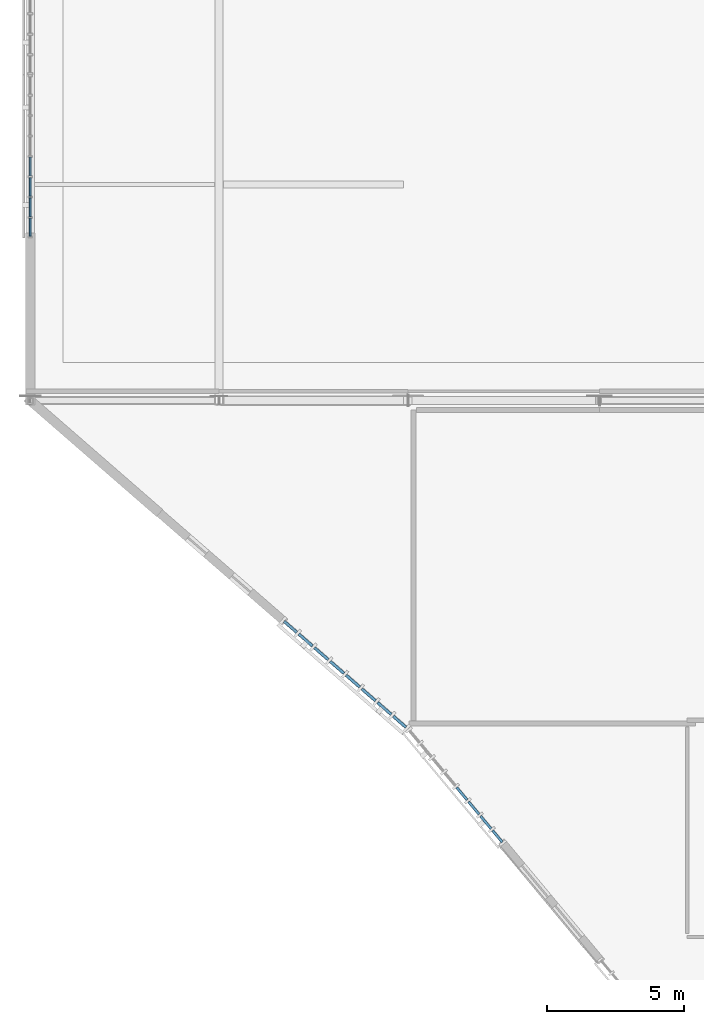
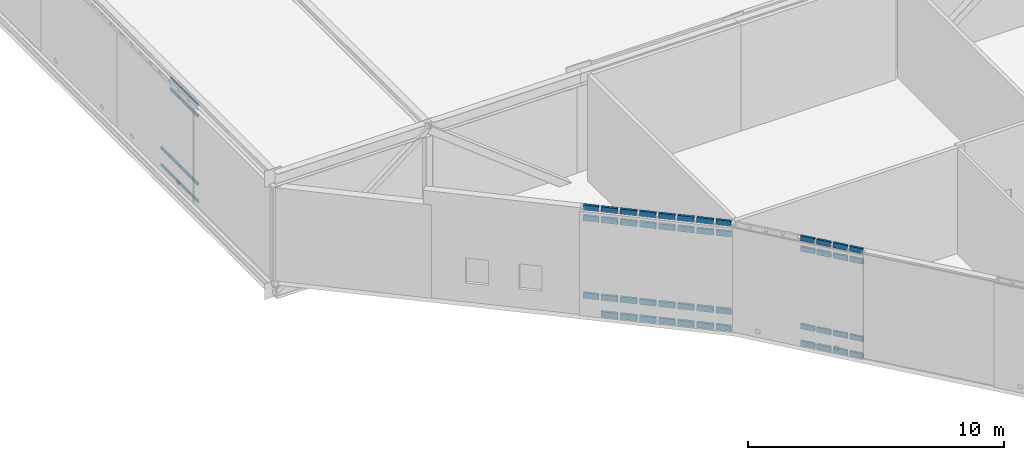
# One storey, part 46 of 135: 61 members, 3 elements without a shape of their own.
"""IFC4 building model written with IfcOpenShell, lengths in metres."""

from ifc_helpers import new_model, si_unit, direction, frame, origin, origin_2d, place, context, subcontext, project, spatial, rectangle, extrude, material, material_profile, profile_set, type_object, element, aggregate, save


model = new_model("IFC4")

# Units and contexts
model_context = context("Model", 3, precision=1e-05, world=origin(), true_north=direction((0.0, 1.0)))
body_context = subcontext(model_context, "Body", "Model", "MODEL_VIEW")
ifc_project = project(units=[si_unit("LENGTHUNIT", "METRE"), si_unit("AREAUNIT", "SQUARE_METRE"), si_unit("VOLUMEUNIT", "CUBIC_METRE"), si_unit("PLANEANGLEUNIT", "RADIAN"), si_unit("MASSUNIT", "GRAM", prefix="KILO")], contexts=[model_context])

# Site, building, storey
site_placement = place(None, origin())
site = spatial("IfcSite", under=ifc_project, at=site_placement, CompositionType="ELEMENT")
building_placement = place(site_placement, origin())
building = spatial("IfcBuilding", under=site, at=building_placement, Name="Larkvane Passage Sports Hall", CompositionType="ELEMENT")
storey_placement = place(building_placement, frame((0.0, 0.0, 16.800048828125)))
storey = spatial("IfcBuildingStorey", under=building, at=storey_placement, Name="L03", CompositionType="ELEMENT", Elevation=16.800048828125)

# Curtain wall, members
ifc_material_1 = material(Name="Thermally broken aluminium and low-E glazing", Category="aluminium")
curtain_wall_type_1 = type_object("IfcCurtainWallType", Name="CW-CLINIC", PredefinedType="USERDEFINED", material=ifc_material_1)
curtain_wall_1_placement = place(storey_placement, origin())
curtain_wall_1 = element("IfcCurtainWall", 1, at=curtain_wall_1_placement, inside=storey, type_object=curtain_wall_type_1, Name="Curtain wall CW5-L03-131", ObjectType="UNITISED CURTAIN WALL", PredefinedType="USERDEFINED")
ifc_material_2 = material(Name="Anodised aluminium 6063-T6", Category="aluminium")
ifc_material_profile_1 = material_profile(ifc_material_2, rectangle(XDim=0.10009765625, YDim=0.260009765625, at=origin_2d()), Name="ALU-TRN-100x260")
ifc_profile_set_1 = profile_set([ifc_material_profile_1], Name="Anodised aluminium 6063-T6")
member_type_1 = type_object("IfcMemberType", Name="CW-TRN-100x260", PredefinedType="USERDEFINED", material=ifc_profile_set_1)
member_1_placement = place(storey_placement, frame((13.724609375, 39.66552734375, 0.050048828125), z_axis=(-0.75464845519, 0.656129338682, 0.0), x_axis=(-0.656129338682, -0.75464845519, 0.0)))
member_1 = element("IfcMember", 2, at=member_1_placement, type_object=member_type_1, Name="CW-05 transom 1.1", ObjectType="TRANSOM", PredefinedType="USERDEFINED", context=body_context, shape_type="SweptSolid", body=[
    extrude(rectangle(XDim=0.10009765625, YDim=0.260009765625, at=origin_2d()), origin(), (0.0, 0.0, 1.0), 0.612060546875),
])
member_2_placement = place(storey_placement, frame((13.724609375, 39.66552734375, 0.849853515625), z_axis=(-0.75464845519, 0.656129338682, 0.0), x_axis=(-0.656129338682, -0.75464845519, 0.0)))
member_2 = element("IfcMember", 3, at=member_2_placement, type_object=member_type_1, Name="CW-05 transom 1.2", ObjectType="TRANSOM", PredefinedType="USERDEFINED", context=body_context, shape_type="SweptSolid", body=[
    extrude(rectangle(XDim=0.10009765625, YDim=0.260009765625, at=origin_2d()), origin(), (0.0, 0.0, 1.0), 0.612060546875),
])
member_3_placement = place(storey_placement, frame((13.724609375, 39.66552734375, 4.550048828125), z_axis=(-0.75464845519, 0.656129338682, 0.0), x_axis=(-0.656129338682, -0.75464845519, 0.0)))
member_3 = element("IfcMember", 4, at=member_3_placement, type_object=member_type_1, Name="CW-05 transom 1.3", ObjectType="TRANSOM", PredefinedType="USERDEFINED", context=body_context, shape_type="SweptSolid", body=[
    extrude(rectangle(XDim=0.10009765625, YDim=0.260009765625, at=origin_2d()), origin(), (0.0, 0.0, 1.0), 0.612060546875),
])
member_4_placement = place(storey_placement, frame((13.724609375, 39.66552734375, 5.050048828125), z_axis=(-0.75464845519, 0.656129338682, 0.0), x_axis=(-0.656129338682, -0.75464845519, 0.0)))
member_4 = element("IfcMember", 5, at=member_4_placement, type_object=member_type_1, Name="CW-05 transom 1.4", ObjectType="TRANSOM", PredefinedType="USERDEFINED", context=body_context, shape_type="SweptSolid", body=[
    extrude(rectangle(XDim=0.10009765625, YDim=0.260009765625, at=origin_2d()), origin(), (0.0, 0.0, 1.0), 0.612060546875),
])
member_5_placement = place(storey_placement, frame((13.187255859375, 40.1328125, 0.050048828125), z_axis=(-0.754629342864, 0.656151320115, 0.0), x_axis=(-0.656151320115, -0.754629342864, 0.0)))
member_5 = element("IfcMember", 6, at=member_5_placement, type_object=member_type_1, Name="CW-05 transom 2.1", ObjectType="TRANSOM", PredefinedType="USERDEFINED", context=body_context, shape_type="SweptSolid", body=[
    extrude(rectangle(XDim=0.10009765625, YDim=0.260009765625, at=origin_2d()), origin(), (0.0, 0.0, 1.0), 0.661865234375),
])
member_6_placement = place(storey_placement, frame((13.187255859375, 40.1328125, 0.849853515625), z_axis=(-0.754629342864, 0.656151320115, 0.0), x_axis=(-0.656151320115, -0.754629342864, 0.0)))
member_6 = element("IfcMember", 7, at=member_6_placement, type_object=member_type_1, Name="CW-05 transom 2.2", ObjectType="TRANSOM", PredefinedType="USERDEFINED", context=body_context, shape_type="SweptSolid", body=[
    extrude(rectangle(XDim=0.10009765625, YDim=0.260009765625, at=origin_2d()), origin(), (0.0, 0.0, 1.0), 0.661865234375),
])
member_7_placement = place(storey_placement, frame((13.187255859375, 40.1328125, 4.550048828125), z_axis=(-0.754629342864, 0.656151320115, 0.0), x_axis=(-0.656151320115, -0.754629342864, 0.0)))
member_7 = element("IfcMember", 8, at=member_7_placement, type_object=member_type_1, Name="CW-05 transom 2.3", ObjectType="TRANSOM", PredefinedType="USERDEFINED", context=body_context, shape_type="SweptSolid", body=[
    extrude(rectangle(XDim=0.10009765625, YDim=0.260009765625, at=origin_2d()), origin(), (0.0, 0.0, 1.0), 0.661865234375),
])
member_8_placement = place(storey_placement, frame((13.187255859375, 40.1328125, 5.050048828125), z_axis=(-0.754629342864, 0.656151320115, 0.0), x_axis=(-0.656151320115, -0.754629342864, 0.0)))
member_8 = element("IfcMember", 9, at=member_8_placement, type_object=member_type_1, Name="CW-05 transom 2.4", ObjectType="TRANSOM", PredefinedType="USERDEFINED", context=body_context, shape_type="SweptSolid", body=[
    extrude(rectangle(XDim=0.10009765625, YDim=0.260009765625, at=origin_2d()), origin(), (0.0, 0.0, 1.0), 0.661865234375),
])
member_9_placement = place(storey_placement, frame((12.6123046875, 40.6328125, 0.050048828125), z_axis=(-0.754629342864, 0.656151320115, 0.0), x_axis=(-0.656151320115, -0.754629342864, 0.0)))
member_9 = element("IfcMember", 10, at=member_9_placement, type_object=member_type_1, Name="CW-05 transom 3.1", ObjectType="TRANSOM", PredefinedType="USERDEFINED", context=body_context, shape_type="SweptSolid", body=[
    extrude(rectangle(XDim=0.10009765625, YDim=0.260009765625, at=origin_2d()), origin(), (0.0, 0.0, 1.0), 0.661865234375),
])
member_10_placement = place(storey_placement, frame((12.6123046875, 40.6328125, 0.849853515625), z_axis=(-0.754629342864, 0.656151320115, 0.0), x_axis=(-0.656151320115, -0.754629342864, 0.0)))
member_10 = element("IfcMember", 11, at=member_10_placement, type_object=member_type_1, Name="CW-05 transom 3.2", ObjectType="TRANSOM", PredefinedType="USERDEFINED", context=body_context, shape_type="SweptSolid", body=[
    extrude(rectangle(XDim=0.10009765625, YDim=0.260009765625, at=origin_2d()), origin(), (0.0, 0.0, 1.0), 0.661865234375),
])
member_11_placement = place(storey_placement, frame((12.6123046875, 40.6328125, 4.550048828125), z_axis=(-0.754629342864, 0.656151320115, 0.0), x_axis=(-0.656151320115, -0.754629342864, 0.0)))
member_11 = element("IfcMember", 12, at=member_11_placement, type_object=member_type_1, Name="CW-05 transom 3.3", ObjectType="TRANSOM", PredefinedType="USERDEFINED", context=body_context, shape_type="SweptSolid", body=[
    extrude(rectangle(XDim=0.10009765625, YDim=0.260009765625, at=origin_2d()), origin(), (0.0, 0.0, 1.0), 0.661865234375),
])
member_12_placement = place(storey_placement, frame((12.6123046875, 40.6328125, 5.050048828125), z_axis=(-0.754629342864, 0.656151320115, 0.0), x_axis=(-0.656151320115, -0.754629342864, 0.0)))
member_12 = element("IfcMember", 13, at=member_12_placement, type_object=member_type_1, Name="CW-05 transom 3.4", ObjectType="TRANSOM", PredefinedType="USERDEFINED", context=body_context, shape_type="SweptSolid", body=[
    extrude(rectangle(XDim=0.10009765625, YDim=0.260009765625, at=origin_2d()), origin(), (0.0, 0.0, 1.0), 0.661865234375),
])
member_13_placement = place(storey_placement, frame((12.037353515625, 41.1328125, 0.050048828125), z_axis=(-0.754629342864, 0.656151320115, 0.0), x_axis=(-0.656151320115, -0.754629342864, 0.0)))
member_13 = element("IfcMember", 14, at=member_13_placement, type_object=member_type_1, Name="CW-05 transom 4.1", ObjectType="TRANSOM", PredefinedType="USERDEFINED", context=body_context, shape_type="SweptSolid", body=[
    extrude(rectangle(XDim=0.10009765625, YDim=0.260009765625, at=origin_2d()), origin(), (0.0, 0.0, 1.0), 0.661865234375),
])
member_14_placement = place(storey_placement, frame((12.037353515625, 41.1328125, 0.849853515625), z_axis=(-0.754629342864, 0.656151320115, 0.0), x_axis=(-0.656151320115, -0.754629342864, 0.0)))
member_14 = element("IfcMember", 15, at=member_14_placement, type_object=member_type_1, Name="CW-05 transom 4.2", ObjectType="TRANSOM", PredefinedType="USERDEFINED", context=body_context, shape_type="SweptSolid", body=[
    extrude(rectangle(XDim=0.10009765625, YDim=0.260009765625, at=origin_2d()), origin(), (0.0, 0.0, 1.0), 0.661865234375),
])
member_15_placement = place(storey_placement, frame((12.037353515625, 41.1328125, 4.550048828125), z_axis=(-0.754629342864, 0.656151320115, 0.0), x_axis=(-0.656151320115, -0.754629342864, 0.0)))
member_15 = element("IfcMember", 16, at=member_15_placement, type_object=member_type_1, Name="CW-05 transom 4.3", ObjectType="TRANSOM", PredefinedType="USERDEFINED", context=body_context, shape_type="SweptSolid", body=[
    extrude(rectangle(XDim=0.10009765625, YDim=0.260009765625, at=origin_2d()), origin(), (0.0, 0.0, 1.0), 0.661865234375),
])
member_16_placement = place(storey_placement, frame((12.037353515625, 41.1328125, 5.050048828125), z_axis=(-0.754629342864, 0.656151320115, 0.0), x_axis=(-0.656151320115, -0.754629342864, 0.0)))
member_16 = element("IfcMember", 17, at=member_16_placement, type_object=member_type_1, Name="CW-05 transom 4.4", ObjectType="TRANSOM", PredefinedType="USERDEFINED", context=body_context, shape_type="SweptSolid", body=[
    extrude(rectangle(XDim=0.10009765625, YDim=0.260009765625, at=origin_2d()), origin(), (0.0, 0.0, 1.0), 0.661865234375),
])
member_17_placement = place(storey_placement, frame((11.462158203125, 41.6328125, 0.050048828125), z_axis=(-0.754629342864, 0.656151320115, 0.0), x_axis=(-0.656151320115, -0.754629342864, 0.0)))
member_17 = element("IfcMember", 18, at=member_17_placement, type_object=member_type_1, Name="CW-05 transom 5.1", ObjectType="TRANSOM", PredefinedType="USERDEFINED", context=body_context, shape_type="SweptSolid", body=[
    extrude(rectangle(XDim=0.10009765625, YDim=0.260009765625, at=origin_2d()), origin(), (0.0, 0.0, 1.0), 0.661865234375),
])
member_18_placement = place(storey_placement, frame((11.462158203125, 41.6328125, 0.849853515625), z_axis=(-0.754629342864, 0.656151320115, 0.0), x_axis=(-0.656151320115, -0.754629342864, 0.0)))
member_18 = element("IfcMember", 19, at=member_18_placement, type_object=member_type_1, Name="CW-05 transom 5.2", ObjectType="TRANSOM", PredefinedType="USERDEFINED", context=body_context, shape_type="SweptSolid", body=[
    extrude(rectangle(XDim=0.10009765625, YDim=0.260009765625, at=origin_2d()), origin(), (0.0, 0.0, 1.0), 0.661865234375),
])
member_19_placement = place(storey_placement, frame((11.462158203125, 41.6328125, 4.550048828125), z_axis=(-0.754629342864, 0.656151320115, 0.0), x_axis=(-0.656151320115, -0.754629342864, 0.0)))
member_19 = element("IfcMember", 20, at=member_19_placement, type_object=member_type_1, Name="CW-05 transom 5.3", ObjectType="TRANSOM", PredefinedType="USERDEFINED", context=body_context, shape_type="SweptSolid", body=[
    extrude(rectangle(XDim=0.10009765625, YDim=0.260009765625, at=origin_2d()), origin(), (0.0, 0.0, 1.0), 0.661865234375),
])
member_20_placement = place(storey_placement, frame((11.462158203125, 41.6328125, 5.050048828125), z_axis=(-0.754629342864, 0.656151320115, 0.0), x_axis=(-0.656151320115, -0.754629342864, 0.0)))
member_20 = element("IfcMember", 21, at=member_20_placement, type_object=member_type_1, Name="CW-05 transom 5.4", ObjectType="TRANSOM", PredefinedType="USERDEFINED", context=body_context, shape_type="SweptSolid", body=[
    extrude(rectangle(XDim=0.10009765625, YDim=0.260009765625, at=origin_2d()), origin(), (0.0, 0.0, 1.0), 0.661865234375),
])
member_21_placement = place(storey_placement, frame((10.88720703125, 42.1328125, 0.050048828125), z_axis=(-0.754629342864, 0.656151320115, 0.0), x_axis=(-0.656151320115, -0.754629342864, 0.0)))
member_21 = element("IfcMember", 22, at=member_21_placement, type_object=member_type_1, Name="CW-05 transom 6.1", ObjectType="TRANSOM", PredefinedType="USERDEFINED", context=body_context, shape_type="SweptSolid", body=[
    extrude(rectangle(XDim=0.10009765625, YDim=0.260009765625, at=origin_2d()), origin(), (0.0, 0.0, 1.0), 0.661865234375),
])
member_22_placement = place(storey_placement, frame((10.88720703125, 42.1328125, 0.849853515625), z_axis=(-0.754629342864, 0.656151320115, 0.0), x_axis=(-0.656151320115, -0.754629342864, 0.0)))
member_22 = element("IfcMember", 23, at=member_22_placement, type_object=member_type_1, Name="CW-05 transom 6.2", ObjectType="TRANSOM", PredefinedType="USERDEFINED", context=body_context, shape_type="SweptSolid", body=[
    extrude(rectangle(XDim=0.10009765625, YDim=0.260009765625, at=origin_2d()), origin(), (0.0, 0.0, 1.0), 0.661865234375),
])
member_23_placement = place(storey_placement, frame((10.88720703125, 42.1328125, 4.550048828125), z_axis=(-0.754629342864, 0.656151320115, 0.0), x_axis=(-0.656151320115, -0.754629342864, 0.0)))
member_23 = element("IfcMember", 24, at=member_23_placement, type_object=member_type_1, Name="CW-05 transom 6.3", ObjectType="TRANSOM", PredefinedType="USERDEFINED", context=body_context, shape_type="SweptSolid", body=[
    extrude(rectangle(XDim=0.10009765625, YDim=0.260009765625, at=origin_2d()), origin(), (0.0, 0.0, 1.0), 0.661865234375),
])
member_24_placement = place(storey_placement, frame((10.88720703125, 42.1328125, 5.050048828125), z_axis=(-0.754629342864, 0.656151320115, 0.0), x_axis=(-0.656151320115, -0.754629342864, 0.0)))
member_24 = element("IfcMember", 25, at=member_24_placement, type_object=member_type_1, Name="CW-05 transom 6.4", ObjectType="TRANSOM", PredefinedType="USERDEFINED", context=body_context, shape_type="SweptSolid", body=[
    extrude(rectangle(XDim=0.10009765625, YDim=0.260009765625, at=origin_2d()), origin(), (0.0, 0.0, 1.0), 0.661865234375),
])
member_25_placement = place(storey_placement, frame((10.312255859375, 42.6328125, 0.050048828125), z_axis=(-0.754629342864, 0.656151320115, 0.0), x_axis=(-0.656151320115, -0.754629342864, 0.0)))
member_25 = element("IfcMember", 26, at=member_25_placement, type_object=member_type_1, Name="CW-05 transom 7.1", ObjectType="TRANSOM", PredefinedType="USERDEFINED", context=body_context, shape_type="SweptSolid", body=[
    extrude(rectangle(XDim=0.10009765625, YDim=0.260009765625, at=origin_2d()), origin(), (0.0, 0.0, 1.0), 0.661865234375),
])
member_26_placement = place(storey_placement, frame((10.312255859375, 42.6328125, 0.849853515625), z_axis=(-0.754629342864, 0.656151320115, 0.0), x_axis=(-0.656151320115, -0.754629342864, 0.0)))
member_26 = element("IfcMember", 27, at=member_26_placement, type_object=member_type_1, Name="CW-05 transom 7.2", ObjectType="TRANSOM", PredefinedType="USERDEFINED", context=body_context, shape_type="SweptSolid", body=[
    extrude(rectangle(XDim=0.10009765625, YDim=0.260009765625, at=origin_2d()), origin(), (0.0, 0.0, 1.0), 0.661865234375),
])
member_27_placement = place(storey_placement, frame((10.312255859375, 42.6328125, 4.550048828125), z_axis=(-0.754629342864, 0.656151320115, 0.0), x_axis=(-0.656151320115, -0.754629342864, 0.0)))
member_27 = element("IfcMember", 28, at=member_27_placement, type_object=member_type_1, Name="CW-05 transom 7.3", ObjectType="TRANSOM", PredefinedType="USERDEFINED", context=body_context, shape_type="SweptSolid", body=[
    extrude(rectangle(XDim=0.10009765625, YDim=0.260009765625, at=origin_2d()), origin(), (0.0, 0.0, 1.0), 0.661865234375),
])
member_28_placement = place(storey_placement, frame((10.312255859375, 42.6328125, 5.050048828125), z_axis=(-0.754629342864, 0.656151320115, 0.0), x_axis=(-0.656151320115, -0.754629342864, 0.0)))
member_28 = element("IfcMember", 29, at=member_28_placement, type_object=member_type_1, Name="CW-05 transom 7.4", ObjectType="TRANSOM", PredefinedType="USERDEFINED", context=body_context, shape_type="SweptSolid", body=[
    extrude(rectangle(XDim=0.10009765625, YDim=0.260009765625, at=origin_2d()), origin(), (0.0, 0.0, 1.0), 0.661865234375),
])
member_29_placement = place(storey_placement, frame((9.7373046875, 43.1328125, 0.849853515625), z_axis=(-0.75464845519, 0.656129338682, 0.0), x_axis=(-0.656129338682, -0.75464845519, 0.0)))
member_29 = element("IfcMember", 30, at=member_29_placement, type_object=member_type_1, Name="CW-05 transom 8.2", ObjectType="TRANSOM", PredefinedType="USERDEFINED", context=body_context, shape_type="SweptSolid", body=[
    extrude(rectangle(XDim=0.10009765625, YDim=0.260009765625, at=origin_2d()), origin(), (0.0, 0.0, 1.0), 0.612060546875),
])
member_30_placement = place(storey_placement, frame((9.7373046875, 43.1328125, 4.550048828125), z_axis=(-0.75464845519, 0.656129338682, 0.0), x_axis=(-0.656129338682, -0.75464845519, 0.0)))
member_30 = element("IfcMember", 31, at=member_30_placement, type_object=member_type_1, Name="CW-05 transom 8.3", ObjectType="TRANSOM", PredefinedType="USERDEFINED", context=body_context, shape_type="SweptSolid", body=[
    extrude(rectangle(XDim=0.10009765625, YDim=0.260009765625, at=origin_2d()), origin(), (0.0, 0.0, 1.0), 0.612060546875),
])
member_31_placement = place(storey_placement, frame((9.7373046875, 43.1328125, 5.050048828125), z_axis=(-0.75464845519, 0.656129338682, 0.0), x_axis=(-0.656129338682, -0.75464845519, 0.0)))
member_31 = element("IfcMember", 32, at=member_31_placement, type_object=member_type_1, Name="CW-05 transom 8.4", ObjectType="TRANSOM", PredefinedType="USERDEFINED", context=body_context, shape_type="SweptSolid", body=[
    extrude(rectangle(XDim=0.10009765625, YDim=0.260009765625, at=origin_2d()), origin(), (0.0, 0.0, 1.0), 0.612060546875),
])
aggregate(curtain_wall_1, [member_1, member_2, member_3, member_4, member_5, member_6, member_7, member_8, member_9, member_10, member_11, member_12, member_13, member_14, member_15, member_16, member_17, member_18, member_19, member_20, member_21, member_22, member_23, member_24, member_25, member_26, member_27, member_28, member_29, member_30, member_31])

curtain_wall_type_2 = type_object("IfcCurtainWallType", Name="CW-UNIT-COURT", PredefinedType="USERDEFINED", material=ifc_material_1)
curtain_wall_2_placement = place(storey_placement, origin())
curtain_wall_2 = element("IfcCurtainWall", 33, at=curtain_wall_2_placement, inside=storey, type_object=curtain_wall_type_2, Name="Curtain wall CW5-L03-132", ObjectType="UNITISED CURTAIN WALL", PredefinedType="USERDEFINED")
ifc_material_profile_2 = material_profile(ifc_material_2, rectangle(XDim=0.06005859375, YDim=0.1201171875, at=origin_2d()), Name="ALU-TRN-60x120")
ifc_profile_set_2 = profile_set([ifc_material_profile_2], Name="Anodised aluminium 6063-T6")
member_type_2 = type_object("IfcMemberType", Name="CW-TRN-60x120", PredefinedType="USERDEFINED", material=ifc_profile_set_2)
member_32_placement = place(storey_placement, frame((0.0, 57.610107421875, 0.030029296875), z_axis=(0.0, 1.0, 0.0), x_axis=(-1.0, 0.0, 0.0)))
member_32 = element("IfcMember", 34, at=member_32_placement, type_object=member_type_2, Name="CW-01 transom 1.1", ObjectType="TRANSOM", PredefinedType="USERDEFINED", context=body_context, shape_type="SweptSolid", body=[
    extrude(rectangle(XDim=0.06005859375, YDim=0.1201171875, at=origin_2d()), origin(), (0.0, 0.0, 1.0), 0.653564453125),
])
member_33_placement = place(storey_placement, frame((0.0, 57.610107421875, 0.849853515625), z_axis=(0.0, 1.0, 0.0), x_axis=(-1.0, 0.0, 0.0)))
member_33 = element("IfcMember", 35, at=member_33_placement, type_object=member_type_2, Name="CW-01 transom 1.2", ObjectType="TRANSOM", PredefinedType="USERDEFINED", context=body_context, shape_type="SweptSolid", body=[
    extrude(rectangle(XDim=0.06005859375, YDim=0.1201171875, at=origin_2d()), origin(), (0.0, 0.0, 1.0), 0.653564453125),
])
member_34_placement = place(storey_placement, frame((0.0, 57.610107421875, 4.097900390625), z_axis=(0.0, 1.0, 0.0), x_axis=(-1.0, 0.0, 0.0)))
member_34 = element("IfcMember", 36, at=member_34_placement, type_object=member_type_2, Name="CW-01 transom 1.3", ObjectType="TRANSOM", PredefinedType="USERDEFINED", context=body_context, shape_type="SweptSolid", body=[
    extrude(rectangle(XDim=0.06005859375, YDim=0.1201171875, at=origin_2d()), origin(), (0.0, 0.0, 1.0), 0.653564453125),
])
member_35_placement = place(storey_placement, frame((0.0, 57.610107421875, 4.617919921875), z_axis=(0.0, 1.0, 0.0), x_axis=(-1.0, 0.0, 0.0)))
member_35 = element("IfcMember", 37, at=member_35_placement, type_object=member_type_2, Name="CW-01 transom 1.4", ObjectType="TRANSOM", PredefinedType="USERDEFINED", context=body_context, shape_type="SweptSolid", body=[
    extrude(rectangle(XDim=0.06005859375, YDim=0.1201171875, at=origin_2d()), origin(), (0.0, 0.0, 1.0), 0.653564453125),
])
member_36_placement = place(storey_placement, frame((0.0, 58.32373046875, 0.030029296875), z_axis=(0.0, 1.0, 0.0), x_axis=(-1.0, 0.0, 0.0)))
member_36 = element("IfcMember", 38, at=member_36_placement, type_object=member_type_2, Name="CW-01 transom 2.1", ObjectType="TRANSOM", PredefinedType="USERDEFINED", context=body_context, shape_type="SweptSolid", body=[
    extrude(rectangle(XDim=0.06005859375, YDim=0.1201171875, at=origin_2d()), origin(), (0.0, 0.0, 1.0), 0.683837890625),
])
member_37_placement = place(storey_placement, frame((0.0, 58.32373046875, 0.849853515625), z_axis=(0.0, 1.0, 0.0), x_axis=(-1.0, 0.0, 0.0)))
member_37 = element("IfcMember", 39, at=member_37_placement, type_object=member_type_2, Name="CW-01 transom 2.2", ObjectType="TRANSOM", PredefinedType="USERDEFINED", context=body_context, shape_type="SweptSolid", body=[
    extrude(rectangle(XDim=0.06005859375, YDim=0.1201171875, at=origin_2d()), origin(), (0.0, 0.0, 1.0), 0.683837890625),
])
member_38_placement = place(storey_placement, frame((0.0, 58.32373046875, 4.097900390625), z_axis=(0.0, 1.0, 0.0), x_axis=(-1.0, 0.0, 0.0)))
member_38 = element("IfcMember", 40, at=member_38_placement, type_object=member_type_2, Name="CW-01 transom 2.3", ObjectType="TRANSOM", PredefinedType="USERDEFINED", context=body_context, shape_type="SweptSolid", body=[
    extrude(rectangle(XDim=0.06005859375, YDim=0.1201171875, at=origin_2d()), origin(), (0.0, 0.0, 1.0), 0.683837890625),
])
member_39_placement = place(storey_placement, frame((0.0, 58.32373046875, 4.617919921875), z_axis=(0.0, 1.0, 0.0), x_axis=(-1.0, 0.0, 0.0)))
member_39 = element("IfcMember", 41, at=member_39_placement, type_object=member_type_2, Name="CW-01 transom 2.4", ObjectType="TRANSOM", PredefinedType="USERDEFINED", context=body_context, shape_type="SweptSolid", body=[
    extrude(rectangle(XDim=0.06005859375, YDim=0.1201171875, at=origin_2d()), origin(), (0.0, 0.0, 1.0), 0.683837890625),
])
member_40_placement = place(storey_placement, frame((0.0, 59.0673828125, 0.030029296875), z_axis=(0.0, 1.0, 0.0), x_axis=(-1.0, 0.0, 0.0)))
member_40 = element("IfcMember", 42, at=member_40_placement, type_object=member_type_2, Name="CW-01 transom 3.1", ObjectType="TRANSOM", PredefinedType="USERDEFINED", context=body_context, shape_type="SweptSolid", body=[
    extrude(rectangle(XDim=0.06005859375, YDim=0.1201171875, at=origin_2d()), origin(), (0.0, 0.0, 1.0), 0.683837890625),
])
member_41_placement = place(storey_placement, frame((0.0, 59.0673828125, 0.849853515625), z_axis=(0.0, 1.0, 0.0), x_axis=(-1.0, 0.0, 0.0)))
member_41 = element("IfcMember", 43, at=member_41_placement, type_object=member_type_2, Name="CW-01 transom 3.2", ObjectType="TRANSOM", PredefinedType="USERDEFINED", context=body_context, shape_type="SweptSolid", body=[
    extrude(rectangle(XDim=0.06005859375, YDim=0.1201171875, at=origin_2d()), origin(), (0.0, 0.0, 1.0), 0.683837890625),
])
member_42_placement = place(storey_placement, frame((0.0, 59.0673828125, 4.097900390625), z_axis=(0.0, 1.0, 0.0), x_axis=(-1.0, 0.0, 0.0)))
member_42 = element("IfcMember", 44, at=member_42_placement, type_object=member_type_2, Name="CW-01 transom 3.3", ObjectType="TRANSOM", PredefinedType="USERDEFINED", context=body_context, shape_type="SweptSolid", body=[
    extrude(rectangle(XDim=0.06005859375, YDim=0.1201171875, at=origin_2d()), origin(), (0.0, 0.0, 1.0), 0.683837890625),
])
member_43_placement = place(storey_placement, frame((0.0, 59.0673828125, 4.617919921875), z_axis=(0.0, 1.0, 0.0), x_axis=(-1.0, 0.0, 0.0)))
member_43 = element("IfcMember", 45, at=member_43_placement, type_object=member_type_2, Name="CW-01 transom 3.4", ObjectType="TRANSOM", PredefinedType="USERDEFINED", context=body_context, shape_type="SweptSolid", body=[
    extrude(rectangle(XDim=0.06005859375, YDim=0.1201171875, at=origin_2d()), origin(), (0.0, 0.0, 1.0), 0.683837890625),
])
member_44_placement = place(storey_placement, frame((0.0, 59.811279296875, 0.030029296875), z_axis=(0.0, 1.0, 0.0), x_axis=(-1.0, 0.0, 0.0)))
member_44 = element("IfcMember", 46, at=member_44_placement, type_object=member_type_2, Name="CW-01 transom 4.1", ObjectType="TRANSOM", PredefinedType="USERDEFINED", context=body_context, shape_type="SweptSolid", body=[
    extrude(rectangle(XDim=0.06005859375, YDim=0.1201171875, at=origin_2d()), origin(), (0.0, 0.0, 1.0), 0.683837890625),
])
member_45_placement = place(storey_placement, frame((0.0, 59.811279296875, 0.849853515625), z_axis=(0.0, 1.0, 0.0), x_axis=(-1.0, 0.0, 0.0)))
member_45 = element("IfcMember", 47, at=member_45_placement, type_object=member_type_2, Name="CW-01 transom 4.2", ObjectType="TRANSOM", PredefinedType="USERDEFINED", context=body_context, shape_type="SweptSolid", body=[
    extrude(rectangle(XDim=0.06005859375, YDim=0.1201171875, at=origin_2d()), origin(), (0.0, 0.0, 1.0), 0.683837890625),
])
aggregate(curtain_wall_2, [member_32, member_33, member_34, member_35, member_36, member_37, member_38, member_39, member_40, member_41, member_42, member_43, member_44, member_45])

curtain_wall_type_3 = type_object("IfcCurtainWallType", Name="CW-STICK-FOYER", PredefinedType="USERDEFINED", material=ifc_material_1)
curtain_wall_3_placement = place(storey_placement, origin())
curtain_wall_3 = element("IfcCurtainWall", 48, at=curtain_wall_3_placement, inside=storey, type_object=curtain_wall_type_3, Name="Curtain wall CW5-L03-130", ObjectType="STICK CURTAIN WALL", PredefinedType="USERDEFINED")
ifc_material_profile_3 = material_profile(ifc_material_2, rectangle(XDim=0.090087890625, YDim=0.235107421875, at=origin_2d()), Name="ALU-TRN-90x235")
ifc_profile_set_3 = profile_set([ifc_material_profile_3], Name="Anodised aluminium 6063-T6")
member_type_3 = type_object("IfcMemberType", Name="CW-TRN-90x235", PredefinedType="USERDEFINED", material=ifc_profile_set_3)
member_46_placement = place(storey_placement, frame((17.242431640625, 35.46923828125, 0.044921875), z_axis=(-0.640315785044, 0.768111772741, 0.0), x_axis=(-0.768111772741, -0.640315785044, 0.0)))
member_46 = element("IfcMember", 49, at=member_46_placement, type_object=member_type_3, Name="CW-03 transom 1.1", ObjectType="TRANSOM", PredefinedType="USERDEFINED", context=body_context, shape_type="SweptSolid", body=[
    extrude(rectangle(XDim=0.090087890625, YDim=0.235107421875, at=origin_2d()), origin(), (0.0, 0.0, 1.0), 0.54833984375),
])
member_47_placement = place(storey_placement, frame((17.242431640625, 35.46923828125, 0.849853515625), z_axis=(-0.640315785044, 0.768111772741, 0.0), x_axis=(-0.768111772741, -0.640315785044, 0.0)))
member_47 = element("IfcMember", 50, at=member_47_placement, type_object=member_type_3, Name="CW-03 transom 1.2", ObjectType="TRANSOM", PredefinedType="USERDEFINED", context=body_context, shape_type="SweptSolid", body=[
    extrude(rectangle(XDim=0.090087890625, YDim=0.235107421875, at=origin_2d()), origin(), (0.0, 0.0, 1.0), 0.54833984375),
])
member_48_placement = place(storey_placement, frame((17.242431640625, 35.46923828125, 4.550048828125), z_axis=(-0.640315785044, 0.768111772741, 0.0), x_axis=(-0.768111772741, -0.640315785044, 0.0)))
member_48 = element("IfcMember", 51, at=member_48_placement, type_object=member_type_3, Name="CW-03 transom 1.3", ObjectType="TRANSOM", PredefinedType="USERDEFINED", context=body_context, shape_type="SweptSolid", body=[
    extrude(rectangle(XDim=0.090087890625, YDim=0.235107421875, at=origin_2d()), origin(), (0.0, 0.0, 1.0), 0.54833984375),
])
member_49_placement = place(storey_placement, frame((17.242431640625, 35.46923828125, 5.054931640625), z_axis=(-0.640315785044, 0.768111772741, 0.0), x_axis=(-0.768111772741, -0.640315785044, 0.0)))
member_49 = element("IfcMember", 52, at=member_49_placement, type_object=member_type_3, Name="CW-03 transom 1.4", ObjectType="TRANSOM", PredefinedType="USERDEFINED", context=body_context, shape_type="SweptSolid", body=[
    extrude(rectangle(XDim=0.090087890625, YDim=0.235107421875, at=origin_2d()), origin(), (0.0, 0.0, 1.0), 0.54833984375),
])
member_50_placement = place(storey_placement, frame((16.833740234375, 35.95947265625, 0.044921875), z_axis=(-0.640022552457, 0.768356123387, 0.0), x_axis=(-0.768356123387, -0.640022552457, 0.0)))
member_50 = element("IfcMember", 53, at=member_50_placement, type_object=member_type_3, Name="CW-03 transom 2.1", ObjectType="TRANSOM", PredefinedType="USERDEFINED", context=body_context, shape_type="SweptSolid", body=[
    extrude(rectangle(XDim=0.090087890625, YDim=0.235107421875, at=origin_2d()), origin(), (0.0, 0.0, 1.0), 0.593505859375),
])
member_51_placement = place(storey_placement, frame((16.833740234375, 35.95947265625, 0.849853515625), z_axis=(-0.640022552457, 0.768356123387, 0.0), x_axis=(-0.768356123387, -0.640022552457, 0.0)))
member_51 = element("IfcMember", 54, at=member_51_placement, type_object=member_type_3, Name="CW-03 transom 2.2", ObjectType="TRANSOM", PredefinedType="USERDEFINED", context=body_context, shape_type="SweptSolid", body=[
    extrude(rectangle(XDim=0.090087890625, YDim=0.235107421875, at=origin_2d()), origin(), (0.0, 0.0, 1.0), 0.593505859375),
])
member_52_placement = place(storey_placement, frame((16.833740234375, 35.95947265625, 4.550048828125), z_axis=(-0.640022552457, 0.768356123387, 0.0), x_axis=(-0.768356123387, -0.640022552457, 0.0)))
member_52 = element("IfcMember", 55, at=member_52_placement, type_object=member_type_3, Name="CW-03 transom 2.3", ObjectType="TRANSOM", PredefinedType="USERDEFINED", context=body_context, shape_type="SweptSolid", body=[
    extrude(rectangle(XDim=0.090087890625, YDim=0.235107421875, at=origin_2d()), origin(), (0.0, 0.0, 1.0), 0.593505859375),
])
member_53_placement = place(storey_placement, frame((16.833740234375, 35.95947265625, 5.054931640625), z_axis=(-0.640022552457, 0.768356123387, 0.0), x_axis=(-0.768356123387, -0.640022552457, 0.0)))
member_53 = element("IfcMember", 56, at=member_53_placement, type_object=member_type_3, Name="CW-03 transom 2.4", ObjectType="TRANSOM", PredefinedType="USERDEFINED", context=body_context, shape_type="SweptSolid", body=[
    extrude(rectangle(XDim=0.090087890625, YDim=0.235107421875, at=origin_2d()), origin(), (0.0, 0.0, 1.0), 0.593505859375),
])
member_54_placement = place(storey_placement, frame((16.396240234375, 36.484619140625, 0.044921875), z_axis=(-0.640224869816, 0.768187552665, 0.0), x_axis=(-0.768187552665, -0.640224869816, 0.0)))
member_54 = element("IfcMember", 57, at=member_54_placement, type_object=member_type_3, Name="CW-03 transom 3.1", ObjectType="TRANSOM", PredefinedType="USERDEFINED", context=body_context, shape_type="SweptSolid", body=[
    extrude(rectangle(XDim=0.090087890625, YDim=0.235107421875, at=origin_2d()), origin(), (0.0, 0.0, 1.0), 0.59326171875),
])
member_55_placement = place(storey_placement, frame((16.396240234375, 36.484619140625, 0.849853515625), z_axis=(-0.640224869816, 0.768187552665, 0.0), x_axis=(-0.768187552665, -0.640224869816, 0.0)))
member_55 = element("IfcMember", 58, at=member_55_placement, type_object=member_type_3, Name="CW-03 transom 3.2", ObjectType="TRANSOM", PredefinedType="USERDEFINED", context=body_context, shape_type="SweptSolid", body=[
    extrude(rectangle(XDim=0.090087890625, YDim=0.235107421875, at=origin_2d()), origin(), (0.0, 0.0, 1.0), 0.59326171875),
])
member_56_placement = place(storey_placement, frame((16.396240234375, 36.484619140625, 4.550048828125), z_axis=(-0.640224869816, 0.768187552665, 0.0), x_axis=(-0.768187552665, -0.640224869816, 0.0)))
member_56 = element("IfcMember", 59, at=member_56_placement, type_object=member_type_3, Name="CW-03 transom 3.3", ObjectType="TRANSOM", PredefinedType="USERDEFINED", context=body_context, shape_type="SweptSolid", body=[
    extrude(rectangle(XDim=0.090087890625, YDim=0.235107421875, at=origin_2d()), origin(), (0.0, 0.0, 1.0), 0.59326171875),
])
member_57_placement = place(storey_placement, frame((16.396240234375, 36.484619140625, 5.054931640625), z_axis=(-0.640224869816, 0.768187552665, 0.0), x_axis=(-0.768187552665, -0.640224869816, 0.0)))
member_57 = element("IfcMember", 60, at=member_57_placement, type_object=member_type_3, Name="CW-03 transom 3.4", ObjectType="TRANSOM", PredefinedType="USERDEFINED", context=body_context, shape_type="SweptSolid", body=[
    extrude(rectangle(XDim=0.090087890625, YDim=0.235107421875, at=origin_2d()), origin(), (0.0, 0.0, 1.0), 0.59326171875),
])
member_58_placement = place(storey_placement, frame((15.958740234375, 37.009521484375, 0.044921875), z_axis=(-0.640224869816, 0.768187552665, 0.0), x_axis=(-0.768187552665, -0.640224869816, 0.0)))
member_58 = element("IfcMember", 61, at=member_58_placement, type_object=member_type_3, Name="CW-03 transom 4.1", ObjectType="TRANSOM", PredefinedType="USERDEFINED", context=body_context, shape_type="SweptSolid", body=[
    extrude(rectangle(XDim=0.090087890625, YDim=0.235107421875, at=origin_2d()), origin(), (0.0, 0.0, 1.0), 0.59326171875),
])
member_59_placement = place(storey_placement, frame((15.958740234375, 37.009521484375, 0.849853515625), z_axis=(-0.640224869816, 0.768187552665, 0.0), x_axis=(-0.768187552665, -0.640224869816, 0.0)))
member_59 = element("IfcMember", 62, at=member_59_placement, type_object=member_type_3, Name="CW-03 transom 4.2", ObjectType="TRANSOM", PredefinedType="USERDEFINED", context=body_context, shape_type="SweptSolid", body=[
    extrude(rectangle(XDim=0.090087890625, YDim=0.235107421875, at=origin_2d()), origin(), (0.0, 0.0, 1.0), 0.59326171875),
])
member_60_placement = place(storey_placement, frame((15.958740234375, 37.009521484375, 4.550048828125), z_axis=(-0.640224869816, 0.768187552665, 0.0), x_axis=(-0.768187552665, -0.640224869816, 0.0)))
member_60 = element("IfcMember", 63, at=member_60_placement, type_object=member_type_3, Name="CW-03 transom 4.3", ObjectType="TRANSOM", PredefinedType="USERDEFINED", context=body_context, shape_type="SweptSolid", body=[
    extrude(rectangle(XDim=0.090087890625, YDim=0.235107421875, at=origin_2d()), origin(), (0.0, 0.0, 1.0), 0.59326171875),
])
member_61_placement = place(storey_placement, frame((15.958740234375, 37.009521484375, 5.054931640625), z_axis=(-0.640224869816, 0.768187552665, 0.0), x_axis=(-0.768187552665, -0.640224869816, 0.0)))
member_61 = element("IfcMember", 64, at=member_61_placement, type_object=member_type_3, Name="CW-03 transom 4.4", ObjectType="TRANSOM", PredefinedType="USERDEFINED", context=body_context, shape_type="SweptSolid", body=[
    extrude(rectangle(XDim=0.090087890625, YDim=0.235107421875, at=origin_2d()), origin(), (0.0, 0.0, 1.0), 0.59326171875),
])
aggregate(curtain_wall_3, [member_46, member_47, member_48, member_49, member_50, member_51, member_52, member_53, member_54, member_55, member_56, member_57, member_58, member_59, member_60, member_61])

save(model, "model.ifc")
